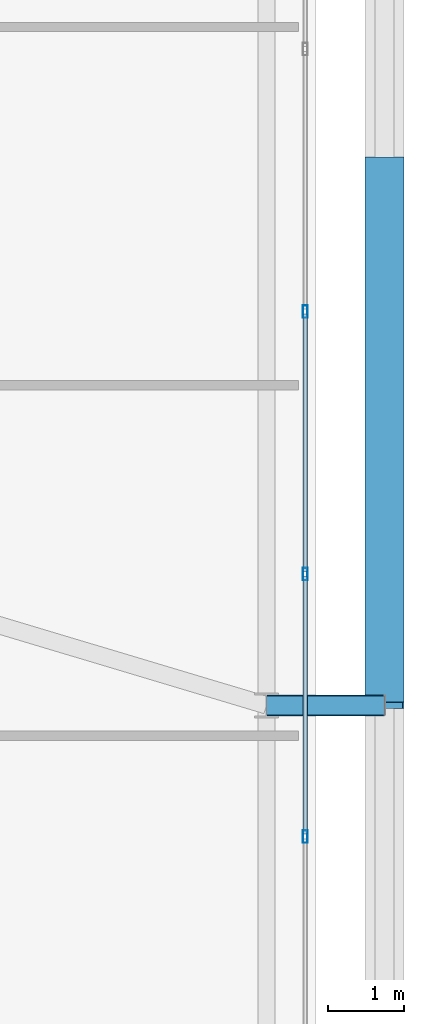
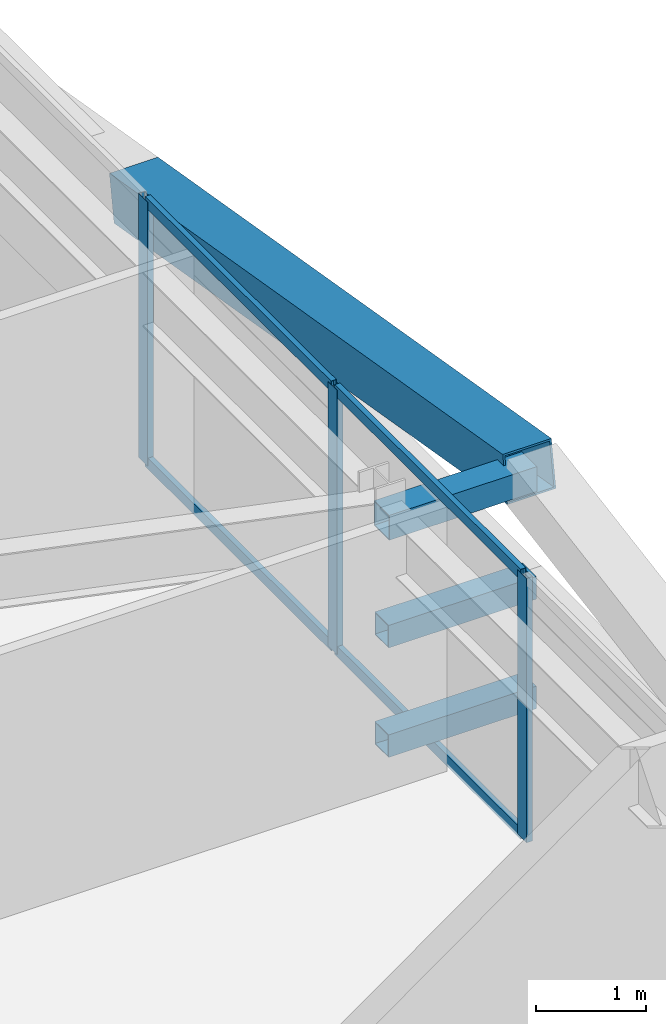
# One storey, part 30 of 59: 11 members, 1 element without a shape of its own.
"""IFC4 building model written with IfcOpenShell, lengths in metres."""

from ifc_helpers import new_model, si_unit, direction, frame, origin, origin_2d, place, context, subcontext, project, spatial, hollow_rectangle, extrude, source, transform, mapped, material, layer, layer_set, material_profile, profile_set, type_object, element, aggregate, save


model = new_model("IFC4")

# Units and contexts
model_context = context("Model", 3, precision=1e-05, world=origin(), true_north=direction((0.0, 1.0)))
body_context = subcontext(model_context, "Body", "Model", "MODEL_VIEW")
ifc_project = project(units=[si_unit("LENGTHUNIT", "METRE"), si_unit("AREAUNIT", "SQUARE_METRE"), si_unit("VOLUMEUNIT", "CUBIC_METRE"), si_unit("PLANEANGLEUNIT", "RADIAN"), si_unit("MASSUNIT", "GRAM", prefix="KILO")], contexts=[model_context])

# Site, building, storey
site_placement = place(None, origin())
site = spatial("IfcSite", under=ifc_project, at=site_placement, CompositionType="ELEMENT")
building_placement = place(site_placement, origin())
building = spatial("IfcBuilding", under=site, at=building_placement, Name="Taldren Reach Tower", CompositionType="ELEMENT")
storey_placement = place(building_placement, frame((0.0, 0.0, 23.10009765625)))
storey = spatial("IfcBuildingStorey", under=building, at=storey_placement, Name="L06", CompositionType="ELEMENT", Elevation=23.10009765625)

# Members
ifc_material_1 = material(Name="Steel Gr 450 (C450L0)", Category="steel")
ifc_material_profile_1 = material_profile(ifc_material_1, hollow_rectangle(XDim=0.27490234375, YDim=0.27490234375, WallThickness=0.00927734375, at=origin_2d()), Name="275x275x9.3SHS")
ifc_profile_set_1 = profile_set([ifc_material_profile_1], Name="Steel Gr 450 (C450L0)")
member_type_1 = type_object("IfcMemberType", Name="MB-TIE273", PredefinedType="STRUT", material=ifc_profile_set_1)
shared_shape_1 = source(origin(), body_context, "Body", "SweptSolid", [
    extrude(hollow_rectangle(XDim=0.27490234375, YDim=0.27490234375, WallThickness=0.00927734375, at=origin_2d()), origin(), (0.0, 0.0, 1.0), 1.5498046875),
])
member_1_placement = place(storey_placement, frame((64.35009765625, 20.0, 2.64990234375), z_axis=(1.0, 0.0, 0.0), x_axis=(0.0, 1.0, 0.0)))
element("IfcMember", 1, at=member_1_placement, inside=storey, type_object=member_type_1, Name="Exoskeleton diaphragm tie strut B1-E2 L06", PredefinedType="STRUT", context=body_context, shape_type="MappedRepresentation", body=[
    mapped(shared_shape_1, transform((0.0, 0.0, 0.0), scale=1.0)),
])
ifc_material_2 = material(Name="Steel Gr 350 (C350L0)", Category="steel")
ifc_material_profile_2 = material_profile(ifc_material_2, hollow_rectangle(XDim=0.25, YDim=0.25, WallThickness=0.010009765625, at=origin_2d()), Name="250x250x10.0SHS")
ifc_profile_set_2 = profile_set([ifc_material_profile_2], Name="Steel Gr 350 (C350L0)")
member_type_2 = type_object("IfcMemberType", Name="MB-POST250", PredefinedType="POST", material=ifc_profile_set_2)
shared_shape_2 = source(origin(), body_context, "Body", "SweptSolid", [
    extrude(hollow_rectangle(XDim=0.25, YDim=0.25, WallThickness=0.010009765625, at=origin_2d()), origin(), (0.0, 0.0, 1.0), 1.5498046875),
])
for number, where, z_axis, x_axis, name in (
    (2, (64.35009765625, 20.0, 0.219970703125), (1.0, 0.0, 0.0), (0.0, 1.0, 0.0), "Exoskeleton base diaphragm tie strut B1-E2 L06"),
    (3, (64.35009765625, 20.0, 1.434814453125), (1.0, 0.0, 0.0), (0.0, 1.0, 0.0), "Exoskeleton mid-tier diaphragm tie B1-E2 L06"),
):
    element("IfcMember", number, at=place(storey_placement, frame(where, z_axis=z_axis, x_axis=x_axis)), inside=storey, type_object=member_type_2, Name=name, PredefinedType="POST", context=body_context, shape_type="MappedRepresentation", body=[
        mapped(shared_shape_2, transform((0.0, 0.0, 0.0), scale=1.0)),
    ])
ifc_material_profile_3 = material_profile(ifc_material_1, hollow_rectangle(XDim=0.510009765625, YDim=0.510009765625, WallThickness=0.02001953125, at=origin_2d()), Name="510x510x20.0SHS")
ifc_profile_set_3 = profile_set([ifc_material_profile_3], Name="Steel Gr 450 (C450L0)")
member_type_3 = type_object("IfcMemberType", Name="MB-EXO508", PredefinedType="BRACE", material=ifc_profile_set_3)
shared_shape_3 = source(origin(), body_context, "Body", "SweptSolid", [
    extrude(hollow_rectangle(XDim=0.510009765625, YDim=0.510009765625, WallThickness=0.02001953125, at=origin_2d()), origin(), (0.0, 0.0, 1.0), 7.25244140625),
])
member_2_placement = place(storey_placement, frame((65.89990234375, 27.14990234375, 1.434814453125), z_axis=(0.0, -0.985864855729, 0.167542490848), x_axis=(1.0, 0.0, 0.0)))
element("IfcMember", 4, at=member_2_placement, inside=storey, type_object=member_type_3, Name="Exoskeleton Diagrid Brace B1-E2 L06", PredefinedType="BRACE", context=body_context, shape_type="MappedRepresentation", body=[
    mapped(shared_shape_3, transform((0.0, 0.0, 0.0), scale=1.0)),
])

# Curtain wall, members
ifc_material_3 = material(Name="Aluminium and Low-E Glass Unitised System", Category="aluminium")
ifc_layer = layer(ifc_material_3, 0.159912109375)
ifc_layer_set = layer_set([ifc_layer], Name="Aluminium and Low-E Glass Unitised System")
curtain_wall_type = type_object("IfcCurtainWallType", Name="CW-SYS-2", PredefinedType="NOTDEFINED", material=ifc_layer_set)
curtain_wall_placement = place(storey_placement, origin())
curtain_wall = element("IfcCurtainWall", 5, at=curtain_wall_placement, inside=storey, type_object=curtain_wall_type, Name="Unitised curtain wall CW-L06-E", PredefinedType="NOTDEFINED")
ifc_material_4 = material(Name="Anodised Aluminium 6063-T6", Category="aluminium")
ifc_material_profile_4 = material_profile(ifc_material_4, hollow_rectangle(XDim=0.06494140625, YDim=0.1650390625, WallThickness=0.00390625, at=origin_2d()), Name="ALU-165x65x4RHS")
ifc_profile_set_4 = profile_set([ifc_material_profile_4], Name="Anodised Aluminium 6063-T6")
member_type_4 = type_object("IfcMemberType", Name="CW-MUL-165", PredefinedType="MULLION", material=ifc_profile_set_4)
shared_shape_4 = source(origin(), body_context, "Body", "SweptSolid", [
    extrude(hollow_rectangle(XDim=0.06494140625, YDim=0.1650390625, WallThickness=0.00390625, at=origin_2d()), origin(), (0.0, 0.0, 1.0), 2.929931640625),
])
member_3_placement = place(storey_placement, frame((64.860107421875, 18.27783203125, 0.0), z_axis=(0.0, 0.0, 1.0), x_axis=(-1.0, 0.0, 0.0)))
member_3 = element("IfcMember", 6, at=member_3_placement, type_object=member_type_4, Name="CW-2 mullion 5", PredefinedType="MULLION", context=body_context, shape_type="MappedRepresentation", body=[
    mapped(shared_shape_4, transform((0.0, 0.0, 0.0), scale=1.0)),
])
member_4_placement = place(storey_placement, frame((64.860107421875, 21.72216796875, 0.0), z_axis=(0.0, 0.0, 1.0), x_axis=(-1.0, 0.0, 0.0)))
member_4 = element("IfcMember", 7, at=member_4_placement, type_object=member_type_4, Name="CW-2 mullion 6", PredefinedType="MULLION", context=body_context, shape_type="MappedRepresentation", body=[
    mapped(shared_shape_4, transform((0.0, 0.0, 0.0), scale=1.0)),
])
member_5_placement = place(storey_placement, frame((64.860107421875, 25.166748046875, 0.0), z_axis=(0.0, 0.0, 1.0), x_axis=(-1.0, 0.0, 0.0)))
member_5 = element("IfcMember", 8, at=member_5_placement, type_object=member_type_4, Name="CW-2 mullion 7", PredefinedType="MULLION", context=body_context, shape_type="MappedRepresentation", body=[
    mapped(shared_shape_4, transform((0.0, 0.0, 0.0), scale=1.0)),
])
ifc_material_profile_5 = material_profile(ifc_material_4, hollow_rectangle(XDim=0.054931640625, YDim=0.1201171875, WallThickness=0.0029296875, at=origin_2d()), Name="ALU-120x55x3RHS")
ifc_profile_set_5 = profile_set([ifc_material_profile_5], Name="Anodised Aluminium 6063-T6")
member_type_5 = type_object("IfcMemberType", Name="CW-TRN-135", PredefinedType="USERDEFINED", material=ifc_profile_set_5)
shared_shape_5 = source(origin(), body_context, "Body", "SweptSolid", [
    extrude(hollow_rectangle(XDim=0.054931640625, YDim=0.1201171875, WallThickness=0.0029296875, at=origin_2d()), origin(), (0.0, 0.0, 1.0), 3.37939453125),
])
member_6_placement = place(storey_placement, frame((64.860107421875, 18.310302734375, 0.02734375), z_axis=(0.0, 1.0, 0.0), x_axis=(-1.0, 0.0, 0.0)))
member_6 = element("IfcMember", 9, at=member_6_placement, type_object=member_type_5, Name="CW-2 transom 5.1", ObjectType="TRANSOM", PredefinedType="USERDEFINED", context=body_context, shape_type="MappedRepresentation", body=[
    mapped(shared_shape_5, transform((0.0, 0.0, 0.0), scale=1.0)),
])
member_7_placement = place(storey_placement, frame((64.860107421875, 18.310302734375, 2.90234375), z_axis=(0.0, 1.0, 0.0), x_axis=(-1.0, 0.0, 0.0)))
member_7 = element("IfcMember", 10, at=member_7_placement, type_object=member_type_5, Name="CW-2 transom 5.2", ObjectType="TRANSOM", PredefinedType="USERDEFINED", context=body_context, shape_type="MappedRepresentation", body=[
    mapped(shared_shape_5, transform((0.0, 0.0, 0.0), scale=1.0)),
])
shared_shape_6 = source(origin(), body_context, "Body", "SweptSolid", [
    extrude(hollow_rectangle(XDim=0.054931640625, YDim=0.1201171875, WallThickness=0.0029296875, at=origin_2d()), origin(), (0.0, 0.0, 1.0), 3.379638671875),
])
member_8_placement = place(storey_placement, frame((64.860107421875, 21.754638671875, 0.02734375), z_axis=(0.0, 1.0, 0.0), x_axis=(-1.0, 0.0, 0.0)))
member_8 = element("IfcMember", 11, at=member_8_placement, type_object=member_type_5, Name="CW-2 transom 6.1", ObjectType="TRANSOM", PredefinedType="USERDEFINED", context=body_context, shape_type="MappedRepresentation", body=[
    mapped(shared_shape_6, transform((0.0, 0.0, 0.0), scale=1.0)),
])
member_9_placement = place(storey_placement, frame((64.860107421875, 21.754638671875, 2.90234375), z_axis=(0.0, 1.0, 0.0), x_axis=(-1.0, 0.0, 0.0)))
member_9 = element("IfcMember", 12, at=member_9_placement, type_object=member_type_5, Name="CW-2 transom 6.2", ObjectType="TRANSOM", PredefinedType="USERDEFINED", context=body_context, shape_type="MappedRepresentation", body=[
    mapped(shared_shape_6, transform((0.0, 0.0, 0.0), scale=1.0)),
])
aggregate(curtain_wall, [member_3, member_4, member_5, member_6, member_7, member_8, member_9])

save(model, "model.ifc")
